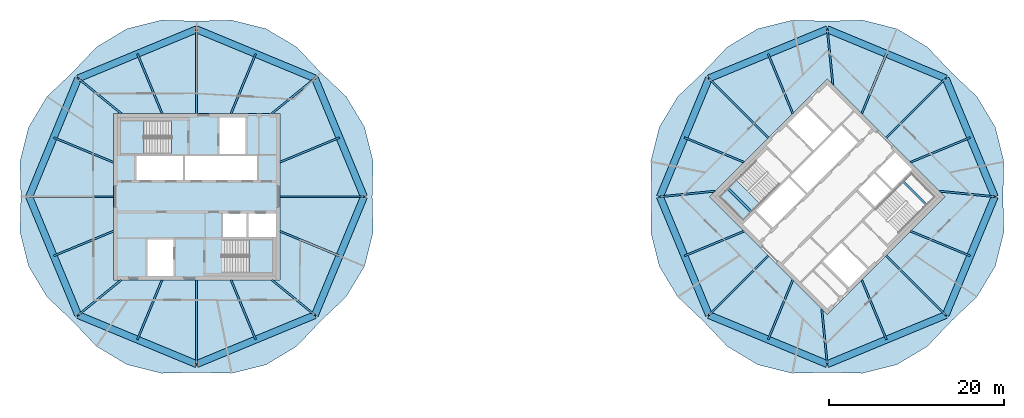
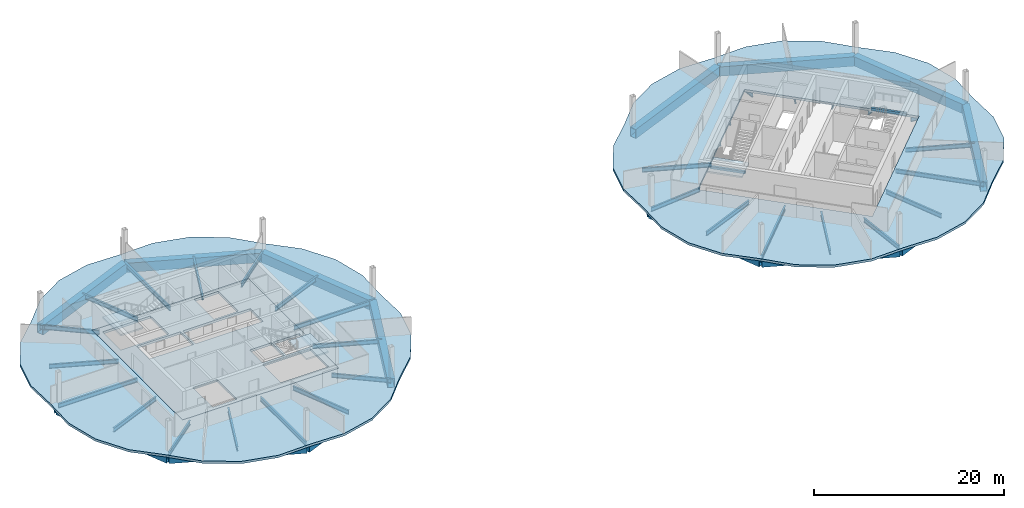
# One storey, part 3 of 10: 50 beams, 6 slabs, 3 elements without a shape of their own.
"""IFC4 building model written with IfcOpenShell, lengths in metres."""

from ifc_helpers import new_model, si_unit, direction, frame, origin, origin_2d, place, context, subcontext, project, spatial, polyline, rectangle, hollow_rectangle, i_section, outline, extrude, material, layer, layer_set, material_profile, profile_set, type_object, element, aggregate, save


model = new_model("IFC4")

# Units and contexts
model_context = context("Model", 3, precision=1e-05, world=origin(), true_north=direction((0.0, 1.0)))
body_context = subcontext(model_context, "Body", "Model", "MODEL_VIEW")
ifc_project = project(units=[si_unit("LENGTHUNIT", "METRE"), si_unit("AREAUNIT", "SQUARE_METRE"), si_unit("VOLUMEUNIT", "CUBIC_METRE"), si_unit("PLANEANGLEUNIT", "RADIAN"), si_unit("MASSUNIT", "GRAM", prefix="KILO")], contexts=[model_context])

# Site, building, storey
site_placement = place(None, origin())
site = spatial("IfcSite", under=ifc_project, at=site_placement, CompositionType="ELEMENT")
building_placement = place(site_placement, origin())
building = spatial("IfcBuilding", under=site, at=building_placement, Name="Ogive Gate Towers", CompositionType="ELEMENT")
storey_placement = place(building_placement, frame((0.0, 0.0, 232.800048828125)))
storey = spatial("IfcBuildingStorey", under=building, at=storey_placement, Name="L55", CompositionType="ELEMENT", Elevation=232.800048828125)

# Beams
ifc_material_1 = material(Name="Steel SM460", Category="steel")
ifc_material_profile_1 = material_profile(ifc_material_1, hollow_rectangle(XDim=0.800048828125, YDim=1.199951171875, WallThickness=0.050048828125, at=origin_2d()), Name="BX 1200x800x50")
ifc_profile_set_1 = profile_set([ifc_material_profile_1], Name="Steel SM460")
beam_type_1 = type_object("IfcBeamType", Name="Edge girder BX 1200x800x50", PredefinedType="BEAM", material=ifc_profile_set_1)
for number, where, z_axis, x_axis, name in (
    (1, (-49.5126953125, -13.5126953125, -0.900146484375), (0.923872994947, -0.38269921506, 0.0), (0.38269921506, 0.923872994947, 0.0), "T1/L55/SBM017"),
    (2, (-36.0, -19.110107421875, -0.900146484375), (0.923872994947, 0.38269921506, 0.0), (-0.38269921506, 0.923872994947, 0.0), "T1/L55/SBM018"),
    (3, (-22.4873046875, -13.5126953125, -0.900146484375), (0.38269921506, 0.923872994947, 0.0), (-0.923872994947, 0.38269921506, 0.0), "T1/L55/SBM019"),
    (4, (-16.889892578125, 0.0, -0.900146484375), (-0.38269921506, 0.923872994947, 0.0), (-0.923872994947, -0.38269921506, 0.0), "T1/L55/SBM020"),
    (5, (-22.4873046875, 13.5126953125, -0.900146484375), (-0.923872994947, 0.38269921506, 0.0), (-0.38269921506, -0.923872994947, 0.0), "T1/L55/SBM021"),
    (6, (-36.0, 19.110107421875, -0.900146484375), (-0.923872994947, -0.38269921506, 0.0), (0.38269921506, -0.923872994947, 0.0), "T1/L55/SBM022"),
    (7, (-49.5126953125, 13.5126953125, -0.900146484375), (-0.38269921506, -0.923872994947, 0.0), (0.923872994947, -0.38269921506, 0.0), "T1/L55/SBM023"),
    (8, (-55.110107421875, 0.0, -0.900146484375), (0.38269921506, -0.923872994947, 0.0), (0.923872994947, 0.38269921506, 0.0), "T1/L55/SBM024"),
    (9, (22.4873046875, -13.5126953125, -0.900146484375), (0.923872994947, -0.38269921506, 0.0), (0.38269921506, 0.923872994947, 0.0), "T2/L55/SBM017"),
    (10, (36.0, -19.110107421875, -0.900146484375), (0.923872994947, 0.38269921506, 0.0), (-0.38269921506, 0.923872994947, 0.0), "T2/L55/SBM018"),
    (11, (49.5126953125, -13.5126953125, -0.900146484375), (0.38269921506, 0.923872994947, 0.0), (-0.923872994947, 0.38269921506, 0.0), "T2/L55/SBM019"),
    (12, (55.110107421875, 0.0, -0.900146484375), (-0.38269921506, 0.923872994947, 0.0), (-0.923872994947, -0.38269921506, 0.0), "T2/L55/SBM020"),
    (13, (49.5126953125, 13.5126953125, -0.900146484375), (-0.923872994947, 0.38269921506, 0.0), (-0.38269921506, -0.923872994947, 0.0), "T2/L55/SBM021"),
    (14, (36.0, 19.110107421875, -0.900146484375), (-0.923872994947, -0.38269921506, 0.0), (0.38269921506, -0.923872994947, 0.0), "T2/L55/SBM022"),
    (15, (22.4873046875, 13.5126953125, -0.900146484375), (-0.38269921506, -0.923872994947, 0.0), (0.923872994947, -0.38269921506, 0.0), "T2/L55/SBM023"),
    (16, (16.889892578125, 0.0, -0.900146484375), (0.38269921506, -0.923872994947, 0.0), (0.923872994947, 0.38269921506, 0.0), "T2/L55/SBM024"),
):
    element("IfcBeam", number, at=place(storey_placement, frame(where, z_axis=z_axis, x_axis=x_axis)), inside=storey, type_object=beam_type_1, Name=name, PredefinedType="BEAM", context=body_context, shape_type="SweptSolid", body=[
        extrude(hollow_rectangle(XDim=0.800048828125, YDim=1.199951171875, WallThickness=0.050048828125, at=origin_2d()), origin(), (0.0, 0.0, 1.0), 14.626220703125),
    ])
ifc_material_2 = material(Name="Concrete C40/50", Category="concrete")
ifc_material_profile_2 = material_profile(ifc_material_2, rectangle(XDim=0.25, YDim=0.300048828125, at=origin_2d()), Name="RC 250x300")
ifc_profile_set_2 = profile_set([ifc_material_profile_2], Name="Concrete C40/50")
beam_type_2 = type_object("IfcBeamType", Name="Landing bearer RC 250x300", PredefinedType="BEAM", material=ifc_profile_set_2)
for number, where, z_axis, x_axis, name in (
    (17, (24.650390625, 0.9541015625, 1.599853515625), (0.707106781187, -0.707106781187, 0.0), (0.707106781187, 0.707106781187, 0.0), "T2 L55 stair 1 landing bearer 1"),
    (18, (47.349609375, -0.9541015625, 1.599853515625), (-0.707106781187, 0.707106781187, 0.0), (-0.707106781187, -0.707106781187, 0.0), "T2 L55 stair 2 landing bearer 1"),
):
    element("IfcBeam", number, at=place(storey_placement, frame(where, z_axis=z_axis, x_axis=x_axis)), inside=storey, type_object=beam_type_2, Name=name, PredefinedType="BEAM", context=body_context, shape_type="SweptSolid", body=[
        extrude(rectangle(XDim=0.25, YDim=0.300048828125, at=origin_2d()), origin(), (0.0, 0.0, 1.0), 3.824951171875),
    ])
ifc_material_3 = material(Name="Steel SM355", Category="steel")
ifc_material_profile_3 = material_profile(ifc_material_3, i_section(OverallWidth=0.2099609375, OverallDepth=0.550048828125, WebThickness=0.010986328125, FlangeThickness=0.01708984375, FilletRadius=0.02392578125, at=origin_2d()), Name="IPE 550")
ifc_profile_set_3 = profile_set([ifc_material_profile_3], Name="Steel SM355")
beam_type_3 = type_object("IfcBeamType", Name="Radial floor beam IPE 550", PredefinedType="BEAM", material=ifc_profile_set_3)
beam_1_placement = place(storey_placement, frame((-44.60009765625, -9.5, -0.574951171875), z_axis=(-0.774474926523, -0.632604606517, 0.0), x_axis=(0.632604606517, -0.774474926523, 0.0)))
element("IfcBeam", 19, at=beam_1_placement, inside=storey, type_object=beam_type_3, Name="T1/L55/SBM001", PredefinedType="BEAM", context=body_context, shape_type="SweptSolid", body=[
    extrude(i_section(OverallWidth=0.2099609375, OverallDepth=0.550048828125, WebThickness=0.010986328125, FlangeThickness=0.01708984375, FilletRadius=0.02392578125, at=origin_2d()), origin(), (0.0, 0.0, 1.0), 6.343017578125),
])
beam_2_placement = place(storey_placement, frame((-39.93505859375, -9.5, -0.574951171875), z_axis=(-0.382667649558, -0.923886069806, 0.0), x_axis=(0.923886069806, -0.382667649558, 0.0)))
element("IfcBeam", 20, at=beam_2_placement, inside=storey, type_object=beam_type_3, Name="T1/L55/SBM002", PredefinedType="BEAM", context=body_context, shape_type="SweptSolid", body=[
    extrude(i_section(OverallWidth=0.2099609375, OverallDepth=0.550048828125, WebThickness=0.010986328125, FlangeThickness=0.01708984375, FilletRadius=0.02392578125, at=origin_2d()), origin(), (0.0, 0.0, 1.0), 7.372802734375),
])
beam_3_placement = place(storey_placement, frame((-36.0, -9.5, -0.574951171875), z_axis=(0.0, -1.0, 0.0), x_axis=(1.0, 0.0, 0.0)))
element("IfcBeam", 21, at=beam_3_placement, inside=storey, type_object=beam_type_3, Name="T1/L55/SBM003", PredefinedType="BEAM", context=body_context, shape_type="SweptSolid", body=[
    extrude(i_section(OverallWidth=0.2099609375, OverallDepth=0.550048828125, WebThickness=0.010986328125, FlangeThickness=0.01708984375, FilletRadius=0.02392578125, at=origin_2d()), origin(), (0.0, 0.0, 1.0), 9.610107421875),
])
beam_4_placement = place(storey_placement, frame((-32.06494140625, -9.5, -0.574951171875), z_axis=(0.382667649558, -0.923886069806, 0.0), x_axis=(0.923886069806, 0.382667649558, 0.0)))
element("IfcBeam", 22, at=beam_4_placement, inside=storey, type_object=beam_type_3, Name="T1/L55/SBM004", PredefinedType="BEAM", context=body_context, shape_type="SweptSolid", body=[
    extrude(i_section(OverallWidth=0.2099609375, OverallDepth=0.550048828125, WebThickness=0.010986328125, FlangeThickness=0.01708984375, FilletRadius=0.02392578125, at=origin_2d()), origin(), (0.0, 0.0, 1.0), 7.372802734375),
])
beam_5_placement = place(storey_placement, frame((-27.39990234375, -9.5, -0.574951171875), z_axis=(0.774474926523, -0.632604606517, 0.0), x_axis=(0.632604606517, 0.774474926523, 0.0)))
element("IfcBeam", 23, at=beam_5_placement, inside=storey, type_object=beam_type_3, Name="T1/L55/SBM005", PredefinedType="BEAM", context=body_context, shape_type="SweptSolid", body=[
    extrude(i_section(OverallWidth=0.2099609375, OverallDepth=0.550048828125, WebThickness=0.010986328125, FlangeThickness=0.01708984375, FilletRadius=0.02392578125, at=origin_2d()), origin(), (0.0, 0.0, 1.0), 6.343017578125),
])
beam_6_placement = place(storey_placement, frame((-26.5, -3.93505859375, -0.574951171875), z_axis=(0.923886069806, -0.382667649558, 0.0), x_axis=(0.382667649558, 0.923886069806, 0.0)))
element("IfcBeam", 24, at=beam_6_placement, inside=storey, type_object=beam_type_3, Name="T1/L55/SBM006", PredefinedType="BEAM", context=body_context, shape_type="SweptSolid", body=[
    extrude(i_section(OverallWidth=0.2099609375, OverallDepth=0.550048828125, WebThickness=0.010986328125, FlangeThickness=0.01708984375, FilletRadius=0.02392578125, at=origin_2d()), origin(), (0.0, 0.0, 1.0), 7.372802734375),
])
beam_7_placement = place(storey_placement, frame((-26.5, 0.0, -0.574951171875), z_axis=(1.0, 0.0, 0.0), x_axis=(0.0, 1.0, 0.0)))
element("IfcBeam", 25, at=beam_7_placement, inside=storey, type_object=beam_type_3, Name="T1/L55/SBM007", PredefinedType="BEAM", context=body_context, shape_type="SweptSolid", body=[
    extrude(i_section(OverallWidth=0.2099609375, OverallDepth=0.550048828125, WebThickness=0.010986328125, FlangeThickness=0.01708984375, FilletRadius=0.02392578125, at=origin_2d()), origin(), (0.0, 0.0, 1.0), 9.610107421875),
])
beam_8_placement = place(storey_placement, frame((-26.5, 3.93505859375, -0.574951171875), z_axis=(0.923886069806, 0.382667649558, 0.0), x_axis=(-0.382667649558, 0.923886069806, 0.0)))
element("IfcBeam", 26, at=beam_8_placement, inside=storey, type_object=beam_type_3, Name="T1/L55/SBM008", PredefinedType="BEAM", context=body_context, shape_type="SweptSolid", body=[
    extrude(i_section(OverallWidth=0.2099609375, OverallDepth=0.550048828125, WebThickness=0.010986328125, FlangeThickness=0.01708984375, FilletRadius=0.02392578125, at=origin_2d()), origin(), (0.0, 0.0, 1.0), 7.372802734375),
])
beam_9_placement = place(storey_placement, frame((-27.39990234375, 9.5, -0.574951171875), z_axis=(0.774474926523, 0.632604606517, 0.0), x_axis=(-0.632604606517, 0.774474926523, 0.0)))
element("IfcBeam", 27, at=beam_9_placement, inside=storey, type_object=beam_type_3, Name="T1/L55/SBM009", PredefinedType="BEAM", context=body_context, shape_type="SweptSolid", body=[
    extrude(i_section(OverallWidth=0.2099609375, OverallDepth=0.550048828125, WebThickness=0.010986328125, FlangeThickness=0.01708984375, FilletRadius=0.02392578125, at=origin_2d()), origin(), (0.0, 0.0, 1.0), 6.343017578125),
])
beam_10_placement = place(storey_placement, frame((-32.06494140625, 9.5, -0.574951171875), z_axis=(0.382667649558, 0.923886069806, 0.0), x_axis=(-0.923886069806, 0.382667649558, 0.0)))
element("IfcBeam", 28, at=beam_10_placement, inside=storey, type_object=beam_type_3, Name="T1/L55/SBM010", PredefinedType="BEAM", context=body_context, shape_type="SweptSolid", body=[
    extrude(i_section(OverallWidth=0.2099609375, OverallDepth=0.550048828125, WebThickness=0.010986328125, FlangeThickness=0.01708984375, FilletRadius=0.02392578125, at=origin_2d()), origin(), (0.0, 0.0, 1.0), 7.372802734375),
])
beam_11_placement = place(storey_placement, frame((-36.0, 9.5, -0.574951171875), z_axis=(0.0, 1.0, 0.0), x_axis=(-1.0, 0.0, 0.0)))
element("IfcBeam", 29, at=beam_11_placement, inside=storey, type_object=beam_type_3, Name="T1/L55/SBM011", PredefinedType="BEAM", context=body_context, shape_type="SweptSolid", body=[
    extrude(i_section(OverallWidth=0.2099609375, OverallDepth=0.550048828125, WebThickness=0.010986328125, FlangeThickness=0.01708984375, FilletRadius=0.02392578125, at=origin_2d()), origin(), (0.0, 0.0, 1.0), 9.610107421875),
])
beam_12_placement = place(storey_placement, frame((-39.93505859375, 9.5, -0.574951171875), z_axis=(-0.382667649558, 0.923886069806, 0.0), x_axis=(-0.923886069806, -0.382667649558, 0.0)))
element("IfcBeam", 30, at=beam_12_placement, inside=storey, type_object=beam_type_3, Name="T1/L55/SBM012", PredefinedType="BEAM", context=body_context, shape_type="SweptSolid", body=[
    extrude(i_section(OverallWidth=0.2099609375, OverallDepth=0.550048828125, WebThickness=0.010986328125, FlangeThickness=0.01708984375, FilletRadius=0.02392578125, at=origin_2d()), origin(), (0.0, 0.0, 1.0), 7.372802734375),
])
beam_13_placement = place(storey_placement, frame((-44.60009765625, 9.5, -0.574951171875), z_axis=(-0.774474926523, 0.632604606517, 0.0), x_axis=(-0.632604606517, -0.774474926523, 0.0)))
element("IfcBeam", 31, at=beam_13_placement, inside=storey, type_object=beam_type_3, Name="T1/L55/SBM013", PredefinedType="BEAM", context=body_context, shape_type="SweptSolid", body=[
    extrude(i_section(OverallWidth=0.2099609375, OverallDepth=0.550048828125, WebThickness=0.010986328125, FlangeThickness=0.01708984375, FilletRadius=0.02392578125, at=origin_2d()), origin(), (0.0, 0.0, 1.0), 6.343017578125),
])
beam_14_placement = place(storey_placement, frame((-45.5, 3.93505859375, -0.574951171875), z_axis=(-0.923886069806, 0.382667649558, 0.0), x_axis=(-0.382667649558, -0.923886069806, 0.0)))
element("IfcBeam", 32, at=beam_14_placement, inside=storey, type_object=beam_type_3, Name="T1/L55/SBM014", PredefinedType="BEAM", context=body_context, shape_type="SweptSolid", body=[
    extrude(i_section(OverallWidth=0.2099609375, OverallDepth=0.550048828125, WebThickness=0.010986328125, FlangeThickness=0.01708984375, FilletRadius=0.02392578125, at=origin_2d()), origin(), (0.0, 0.0, 1.0), 7.372802734375),
])
beam_15_placement = place(storey_placement, frame((-45.5, 0.0, -0.574951171875), z_axis=(-1.0, 0.0, 0.0), x_axis=(0.0, -1.0, 0.0)))
element("IfcBeam", 33, at=beam_15_placement, inside=storey, type_object=beam_type_3, Name="T1/L55/SBM015", PredefinedType="BEAM", context=body_context, shape_type="SweptSolid", body=[
    extrude(i_section(OverallWidth=0.2099609375, OverallDepth=0.550048828125, WebThickness=0.010986328125, FlangeThickness=0.01708984375, FilletRadius=0.02392578125, at=origin_2d()), origin(), (0.0, 0.0, 1.0), 9.610107421875),
])
beam_16_placement = place(storey_placement, frame((-45.5, -3.93505859375, -0.574951171875), z_axis=(-0.923886069806, -0.382667649558, 0.0), x_axis=(0.382667649558, -0.923886069806, 0.0)))
element("IfcBeam", 34, at=beam_16_placement, inside=storey, type_object=beam_type_3, Name="T1/L55/SBM016", PredefinedType="BEAM", context=body_context, shape_type="SweptSolid", body=[
    extrude(i_section(OverallWidth=0.2099609375, OverallDepth=0.550048828125, WebThickness=0.010986328125, FlangeThickness=0.01708984375, FilletRadius=0.02392578125, at=origin_2d()), origin(), (0.0, 0.0, 1.0), 7.372802734375),
])
beam_17_placement = place(storey_placement, frame((29.282470703125, -6.717529296875, -0.574951171875), z_axis=(-0.707106781187, -0.707106781187, 0.0), x_axis=(0.707106781187, -0.707106781187, 0.0)))
element("IfcBeam", 35, at=beam_17_placement, inside=storey, type_object=beam_type_3, Name="T2/L55/SBM001", PredefinedType="BEAM", context=body_context, shape_type="SweptSolid", body=[
    extrude(i_section(OverallWidth=0.2099609375, OverallDepth=0.550048828125, WebThickness=0.010986328125, FlangeThickness=0.01708984375, FilletRadius=0.02392578125, at=origin_2d()), origin(), (0.0, 0.0, 1.0), 9.60986328125),
])
beam_18_placement = place(storey_placement, frame((32.06494140625, -9.5, -0.574951171875), z_axis=(-0.382667649558, -0.923886069806, 0.0), x_axis=(0.923886069806, -0.382667649558, 0.0)))
element("IfcBeam", 36, at=beam_18_placement, inside=storey, type_object=beam_type_3, Name="T2/L55/SBM002", PredefinedType="BEAM", context=body_context, shape_type="SweptSolid", body=[
    extrude(i_section(OverallWidth=0.2099609375, OverallDepth=0.550048828125, WebThickness=0.010986328125, FlangeThickness=0.01708984375, FilletRadius=0.02392578125, at=origin_2d()), origin(), (0.0, 0.0, 1.0), 7.372802734375),
])
beam_19_placement = place(storey_placement, frame((35.363525390625, -12.798583984375, -0.574951171875), z_axis=(0.100334383706, -0.994953773522, 0.0), x_axis=(0.994953773522, 0.100334383706, 0.0)))
element("IfcBeam", 37, at=beam_19_placement, inside=storey, type_object=beam_type_3, Name="T2/L55/SBM003", PredefinedType="BEAM", context=body_context, shape_type="SweptSolid", body=[
    extrude(i_section(OverallWidth=0.2099609375, OverallDepth=0.550048828125, WebThickness=0.010986328125, FlangeThickness=0.01708984375, FilletRadius=0.02392578125, at=origin_2d()), origin(), (0.0, 0.0, 1.0), 6.343505859375),
])
beam_20_placement = place(storey_placement, frame((39.93505859375, -9.5, -0.574951171875), z_axis=(0.382667649558, -0.923886069806, 0.0), x_axis=(0.923886069806, 0.382667649558, 0.0)))
element("IfcBeam", 38, at=beam_20_placement, inside=storey, type_object=beam_type_3, Name="T2/L55/SBM004", PredefinedType="BEAM", context=body_context, shape_type="SweptSolid", body=[
    extrude(i_section(OverallWidth=0.2099609375, OverallDepth=0.550048828125, WebThickness=0.010986328125, FlangeThickness=0.01708984375, FilletRadius=0.02392578125, at=origin_2d()), origin(), (0.0, 0.0, 1.0), 7.372802734375),
])
beam_21_placement = place(storey_placement, frame((42.717529296875, -6.717529296875, -0.574951171875), z_axis=(0.707106781187, -0.707106781187, 0.0), x_axis=(0.707106781187, 0.707106781187, 0.0)))
element("IfcBeam", 39, at=beam_21_placement, inside=storey, type_object=beam_type_3, Name="T2/L55/SBM005", PredefinedType="BEAM", context=body_context, shape_type="SweptSolid", body=[
    extrude(i_section(OverallWidth=0.2099609375, OverallDepth=0.550048828125, WebThickness=0.010986328125, FlangeThickness=0.01708984375, FilletRadius=0.02392578125, at=origin_2d()), origin(), (0.0, 0.0, 1.0), 9.60986328125),
])
beam_22_placement = place(storey_placement, frame((45.5, -3.93505859375, -0.574951171875), z_axis=(0.923886069806, -0.382667649558, 0.0), x_axis=(0.382667649558, 0.923886069806, 0.0)))
element("IfcBeam", 40, at=beam_22_placement, inside=storey, type_object=beam_type_3, Name="T2/L55/SBM006", PredefinedType="BEAM", context=body_context, shape_type="SweptSolid", body=[
    extrude(i_section(OverallWidth=0.2099609375, OverallDepth=0.550048828125, WebThickness=0.010986328125, FlangeThickness=0.01708984375, FilletRadius=0.02392578125, at=origin_2d()), origin(), (0.0, 0.0, 1.0), 7.372802734375),
])
beam_23_placement = place(storey_placement, frame((48.798583984375, 0.636474609375, -0.574951171875), z_axis=(0.994953773522, -0.100334383706, 0.0), x_axis=(0.100334383706, 0.994953773522, 0.0)))
element("IfcBeam", 41, at=beam_23_placement, inside=storey, type_object=beam_type_3, Name="T2/L55/SBM007", PredefinedType="BEAM", context=body_context, shape_type="SweptSolid", body=[
    extrude(i_section(OverallWidth=0.2099609375, OverallDepth=0.550048828125, WebThickness=0.010986328125, FlangeThickness=0.01708984375, FilletRadius=0.02392578125, at=origin_2d()), origin(), (0.0, 0.0, 1.0), 6.343505859375),
])
beam_24_placement = place(storey_placement, frame((45.5, 3.93505859375, -0.574951171875), z_axis=(0.923886069806, 0.382667649558, 0.0), x_axis=(-0.382667649558, 0.923886069806, 0.0)))
element("IfcBeam", 42, at=beam_24_placement, inside=storey, type_object=beam_type_3, Name="T2/L55/SBM008", PredefinedType="BEAM", context=body_context, shape_type="SweptSolid", body=[
    extrude(i_section(OverallWidth=0.2099609375, OverallDepth=0.550048828125, WebThickness=0.010986328125, FlangeThickness=0.01708984375, FilletRadius=0.02392578125, at=origin_2d()), origin(), (0.0, 0.0, 1.0), 7.372802734375),
])
beam_25_placement = place(storey_placement, frame((42.717529296875, 6.717529296875, -0.574951171875), z_axis=(0.707106781187, 0.707106781187, 0.0), x_axis=(-0.707106781187, 0.707106781187, 0.0)))
element("IfcBeam", 43, at=beam_25_placement, inside=storey, type_object=beam_type_3, Name="T2/L55/SBM009", PredefinedType="BEAM", context=body_context, shape_type="SweptSolid", body=[
    extrude(i_section(OverallWidth=0.2099609375, OverallDepth=0.550048828125, WebThickness=0.010986328125, FlangeThickness=0.01708984375, FilletRadius=0.02392578125, at=origin_2d()), origin(), (0.0, 0.0, 1.0), 9.60986328125),
])
beam_26_placement = place(storey_placement, frame((39.93505859375, 9.5, -0.574951171875), z_axis=(0.382667649558, 0.923886069806, 0.0), x_axis=(-0.923886069806, 0.382667649558, 0.0)))
element("IfcBeam", 44, at=beam_26_placement, inside=storey, type_object=beam_type_3, Name="T2/L55/SBM010", PredefinedType="BEAM", context=body_context, shape_type="SweptSolid", body=[
    extrude(i_section(OverallWidth=0.2099609375, OverallDepth=0.550048828125, WebThickness=0.010986328125, FlangeThickness=0.01708984375, FilletRadius=0.02392578125, at=origin_2d()), origin(), (0.0, 0.0, 1.0), 7.372802734375),
])
beam_27_placement = place(storey_placement, frame((36.636474609375, 12.798583984375, -0.574951171875), z_axis=(-0.100334383706, 0.994953773522, 0.0), x_axis=(-0.994953773522, -0.100334383706, 0.0)))
element("IfcBeam", 45, at=beam_27_placement, inside=storey, type_object=beam_type_3, Name="T2/L55/SBM011", PredefinedType="BEAM", context=body_context, shape_type="SweptSolid", body=[
    extrude(i_section(OverallWidth=0.2099609375, OverallDepth=0.550048828125, WebThickness=0.010986328125, FlangeThickness=0.01708984375, FilletRadius=0.02392578125, at=origin_2d()), origin(), (0.0, 0.0, 1.0), 6.343505859375),
])
beam_28_placement = place(storey_placement, frame((32.06494140625, 9.5, -0.574951171875), z_axis=(-0.382667649558, 0.923886069806, 0.0), x_axis=(-0.923886069806, -0.382667649558, 0.0)))
element("IfcBeam", 46, at=beam_28_placement, inside=storey, type_object=beam_type_3, Name="T2/L55/SBM012", PredefinedType="BEAM", context=body_context, shape_type="SweptSolid", body=[
    extrude(i_section(OverallWidth=0.2099609375, OverallDepth=0.550048828125, WebThickness=0.010986328125, FlangeThickness=0.01708984375, FilletRadius=0.02392578125, at=origin_2d()), origin(), (0.0, 0.0, 1.0), 7.372802734375),
])
beam_29_placement = place(storey_placement, frame((29.282470703125, 6.717529296875, -0.574951171875), z_axis=(-0.707106781187, 0.707106781187, 0.0), x_axis=(-0.707106781187, -0.707106781187, 0.0)))
element("IfcBeam", 47, at=beam_29_placement, inside=storey, type_object=beam_type_3, Name="T2/L55/SBM013", PredefinedType="BEAM", context=body_context, shape_type="SweptSolid", body=[
    extrude(i_section(OverallWidth=0.2099609375, OverallDepth=0.550048828125, WebThickness=0.010986328125, FlangeThickness=0.01708984375, FilletRadius=0.02392578125, at=origin_2d()), origin(), (0.0, 0.0, 1.0), 9.60986328125),
])
beam_30_placement = place(storey_placement, frame((26.5, 3.93505859375, -0.574951171875), z_axis=(-0.923886069806, 0.382667649558, 0.0), x_axis=(-0.382667649558, -0.923886069806, 0.0)))
element("IfcBeam", 48, at=beam_30_placement, inside=storey, type_object=beam_type_3, Name="T2/L55/SBM014", PredefinedType="BEAM", context=body_context, shape_type="SweptSolid", body=[
    extrude(i_section(OverallWidth=0.2099609375, OverallDepth=0.550048828125, WebThickness=0.010986328125, FlangeThickness=0.01708984375, FilletRadius=0.02392578125, at=origin_2d()), origin(), (0.0, 0.0, 1.0), 7.372802734375),
])
beam_31_placement = place(storey_placement, frame((23.201416015625, 0.636474609375, -0.574951171875), z_axis=(-0.994953773522, -0.100334383706, 0.0), x_axis=(0.100334383706, -0.994953773522, 0.0)))
element("IfcBeam", 49, at=beam_31_placement, inside=storey, type_object=beam_type_3, Name="T2/L55/SBM015", PredefinedType="BEAM", context=body_context, shape_type="SweptSolid", body=[
    extrude(i_section(OverallWidth=0.2099609375, OverallDepth=0.550048828125, WebThickness=0.010986328125, FlangeThickness=0.01708984375, FilletRadius=0.02392578125, at=origin_2d()), origin(), (0.0, 0.0, 1.0), 6.343505859375),
])
beam_32_placement = place(storey_placement, frame((26.5, -3.93505859375, -0.574951171875), z_axis=(-0.923886069806, -0.382667649558, 0.0), x_axis=(0.382667649558, -0.923886069806, 0.0)))
element("IfcBeam", 50, at=beam_32_placement, inside=storey, type_object=beam_type_3, Name="T2/L55/SBM016", PredefinedType="BEAM", context=body_context, shape_type="SweptSolid", body=[
    extrude(i_section(OverallWidth=0.2099609375, OverallDepth=0.550048828125, WebThickness=0.010986328125, FlangeThickness=0.01708984375, FilletRadius=0.02392578125, at=origin_2d()), origin(), (0.0, 0.0, 1.0), 7.372802734375),
])

# Slabs
ifc_layer_1 = layer(ifc_material_2, 0.300048828125)
ifc_layer_set_1 = layer_set([ifc_layer_1], Name="Core slab C40/50 300 mm")
slab_type_1 = type_object("IfcSlabType", Name="Core slab C40/50 300 mm", PredefinedType="FLOOR", material=ifc_layer_set_1)
slab_1_placement = place(storey_placement, frame((0.0, 0.0, -0.300048828125)))
element("IfcSlab", 51, at=slab_1_placement, inside=storey, type_object=slab_type_1, Name="T1 L55 core slab", PredefinedType="FLOOR", context=body_context, shape_type="SweptSolid", body=[
    extrude(outline(polyline([(-45.5, -9.5), (-45.5, 9.5), (-26.5, 9.5), (-26.5, -9.5), (-45.5, -9.5)]), holes=[polyline([(-42.875, 1.925048828125), (-37.574951171875, 1.925048828125), (-37.574951171875, 4.625), (-42.875, 4.625), (-42.875, 1.925048828125)]), polyline([(-37.324951171875, 4.625), (-37.324951171875, 1.925048828125), (-29.125, 1.925048828125), (-29.125, 4.625), (-37.324951171875, 4.625)]), polyline([(-30.324951171875, -1.925048828125), (-32.97509765625, -1.925048828125), (-32.97509765625, -4.625), (-30.324951171875, -4.625), (-30.324951171875, -1.925048828125)]), polyline([(-26.949951171875, -4.625), (-26.949951171875, -1.925048828125), (-30.074951171875, -1.925048828125), (-30.074951171875, -4.625), (-26.949951171875, -4.625)]), polyline([(-33.375, 4.875), (-30.425048828125, 4.875), (-30.425048828125, 9.050048828125), (-33.375, 9.050048828125), (-33.375, 4.875)]), polyline([(-41.574951171875, -4.875), (-41.574951171875, -9.050048828125), (-38.625, -9.050048828125), (-38.625, -4.875), (-41.574951171875, -4.875)]), polyline([(-44.699951171875, 4.875), (-38.885009765625, 4.875), (-38.885009765625, 8.699951171875), (-44.699951171875, 8.699951171875), (-44.699951171875, 4.875)]), polyline([(-27.300048828125, -8.699951171875), (-27.300048828125, -4.875), (-33.114990234375, -4.875), (-33.114990234375, -8.699951171875), (-27.300048828125, -8.699951171875)])]), origin(), (0.0, 0.0, 1.0), 0.300048828125),
])
ifc_material_4 = material(Name="Concrete C35/45", Category="concrete")
ifc_layer_2 = layer(ifc_material_4, 0.300048828125)
ifc_layer_set_2 = layer_set([ifc_layer_2], Name="Floor slab 300")
slab_type_2 = type_object("IfcSlabType", Name="Floor slab 300", PredefinedType="FLOOR", material=ifc_layer_set_2)
slab_2_placement = place(storey_placement, frame((0.0, 0.0, -0.300048828125)))
element("IfcSlab", 52, at=slab_2_placement, inside=storey, type_object=slab_type_2, Name="T1/L55/SSL001", PredefinedType="FLOOR", context=body_context, shape_type="SweptSolid", body=[
    extrude(outline(polyline([(-15.844970703125, -4.009033203125), (-15.949951171875, 0.0), (-15.844970703125, 4.009033203125), (-16.82958984375, 7.940673828125), (-18.913330078125, 11.4169921875), (-21.822509765625, 14.177490234375), (-24.5830078125, 17.086669921875), (-28.059326171875, 19.17041015625), (-31.990966796875, 20.155029296875), (-36.0, 20.050048828125), (-40.009033203125, 20.155029296875), (-43.940673828125, 19.17041015625), (-47.4169921875, 17.086669921875), (-50.177490234375, 14.177490234375), (-53.086669921875, 11.4169921875), (-55.17041015625, 7.940673828125), (-56.155029296875, 4.009033203125), (-56.050048828125, 0.0), (-56.155029296875, -4.009033203125), (-55.17041015625, -7.940673828125), (-53.086669921875, -11.4169921875), (-50.177490234375, -14.177490234375), (-47.4169921875, -17.086669921875), (-43.940673828125, -19.17041015625), (-40.009033203125, -20.155029296875), (-36.0, -20.050048828125), (-31.990966796875, -20.155029296875), (-28.059326171875, -19.17041015625), (-24.5830078125, -17.086669921875), (-21.822509765625, -14.177490234375), (-18.913330078125, -11.4169921875), (-16.82958984375, -7.940673828125), (-15.844970703125, -4.009033203125)]), holes=[polyline([(-26.5, -9.5), (-45.5, -9.5), (-45.5, 9.5), (-26.5, 9.5), (-26.5, -9.5)])]), origin(), (0.0, 0.0, 1.0), 0.300048828125),
])
slab_3_placement = place(storey_placement, frame((0.0, 0.0, -0.300048828125)))
element("IfcSlab", 53, at=slab_3_placement, inside=storey, type_object=slab_type_2, Name="T2/L55/SSL001", PredefinedType="FLOOR", context=body_context, shape_type="SweptSolid", body=[
    extrude(outline(polyline([(56.155029296875, -4.009033203125), (56.050048828125, 0.0), (56.155029296875, 4.009033203125), (55.17041015625, 7.940673828125), (53.086669921875, 11.4169921875), (50.177490234375, 14.177490234375), (47.4169921875, 17.086669921875), (43.940673828125, 19.17041015625), (40.009033203125, 20.155029296875), (36.0, 20.050048828125), (31.990966796875, 20.155029296875), (28.059326171875, 19.17041015625), (24.5830078125, 17.086669921875), (21.822509765625, 14.177490234375), (18.913330078125, 11.4169921875), (16.82958984375, 7.940673828125), (15.844970703125, 4.009033203125), (15.949951171875, 0.0), (15.844970703125, -4.009033203125), (16.82958984375, -7.940673828125), (18.913330078125, -11.4169921875), (21.822509765625, -14.177490234375), (24.5830078125, -17.086669921875), (28.059326171875, -19.17041015625), (31.990966796875, -20.155029296875), (36.0, -20.050048828125), (40.009033203125, -20.155029296875), (43.940673828125, -19.17041015625), (47.4169921875, -17.086669921875), (50.177490234375, -14.177490234375), (53.086669921875, -11.4169921875), (55.17041015625, -7.940673828125), (56.155029296875, -4.009033203125)]), holes=[polyline([(49.43505859375, 0.0), (36.0, -13.43505859375), (22.56494140625, 0.0), (36.0, 13.43505859375), (49.43505859375, 0.0)])]), origin(), (0.0, 0.0, 1.0), 0.300048828125),
])

# Stair, slab
stair_type = type_object("IfcStairType", Name="Escape stair 1840 wide", PredefinedType="HALF_TURN_STAIR", material=ifc_material_2)
stair_1_placement = place(storey_placement, origin())
stair_1 = element("IfcStair", 54, at=stair_1_placement, inside=storey, type_object=stair_type, Name="L55 Escape stair 1", PredefinedType="HALF_TURN_STAIR")
ifc_layer_3 = layer(ifc_material_2, 0.199951171875)
ifc_layer_set_3 = layer_set([ifc_layer_3], Name="Stair landing 200 mm")
slab_type_3 = type_object("IfcSlabType", Name="Stair landing 200 mm", PredefinedType="LANDING", material=ifc_layer_set_3)
slab_4_placement = place(storey_placement, frame((0.0, 0.0, 1.75)))
slab_4 = element("IfcSlab", 55, at=slab_4_placement, type_object=slab_type_3, Name="ST1 landing 1", PredefinedType="LANDING", context=body_context, shape_type="SweptSolid", body=[
    extrude(outline(polyline([(-42.00146484375, 8.699951171875), (-44.699951171875, 8.699951171875), (-44.699951171875, 4.875), (-42.00146484375, 4.875), (-42.00146484375, 8.699951171875)])), origin(), (0.0, 0.0, 1.0), 0.199951171875),
])
aggregate(stair_1, [slab_4])

stair_2_placement = place(storey_placement, origin())
stair_2 = element("IfcStair", 56, at=stair_2_placement, inside=storey, type_object=stair_type, Name="L55 Escape stair 2", PredefinedType="HALF_TURN_STAIR")
slab_5_placement = place(storey_placement, frame((0.0, 0.0, 1.75)))
slab_5 = element("IfcSlab", 57, at=slab_5_placement, type_object=slab_type_3, Name="ST2 landing 1", PredefinedType="LANDING", context=body_context, shape_type="SweptSolid", body=[
    extrude(outline(polyline([(-29.99853515625, -8.699951171875), (-27.300048828125, -8.699951171875), (-27.300048828125, -4.875), (-29.99853515625, -4.875), (-29.99853515625, -8.699951171875)])), origin(), (0.0, 0.0, 1.0), 0.199951171875),
])
aggregate(stair_2, [slab_5])

stair_3_placement = place(storey_placement, origin())
stair_3 = element("IfcStair", 58, at=stair_3_placement, inside=storey, type_object=stair_type, Name="L55 Escape stair 1", PredefinedType="HALF_TURN_STAIR")
slab_6_placement = place(storey_placement, frame((0.0, 0.0, 1.75)))
slab_6 = element("IfcSlab", 59, at=slab_6_placement, type_object=slab_type_3, Name="ST1 landing 1", PredefinedType="LANDING", context=body_context, shape_type="SweptSolid", body=[
    extrude(outline(polyline([(25.6044921875, 1.908203125), (23.6962890625, 0.0), (26.401123046875, -2.70458984375), (28.309326171875, -0.79638671875), (25.6044921875, 1.908203125)])), origin(), (0.0, 0.0, 1.0), 0.199951171875),
])
aggregate(stair_3, [slab_6])

save(model, "model.ifc")
